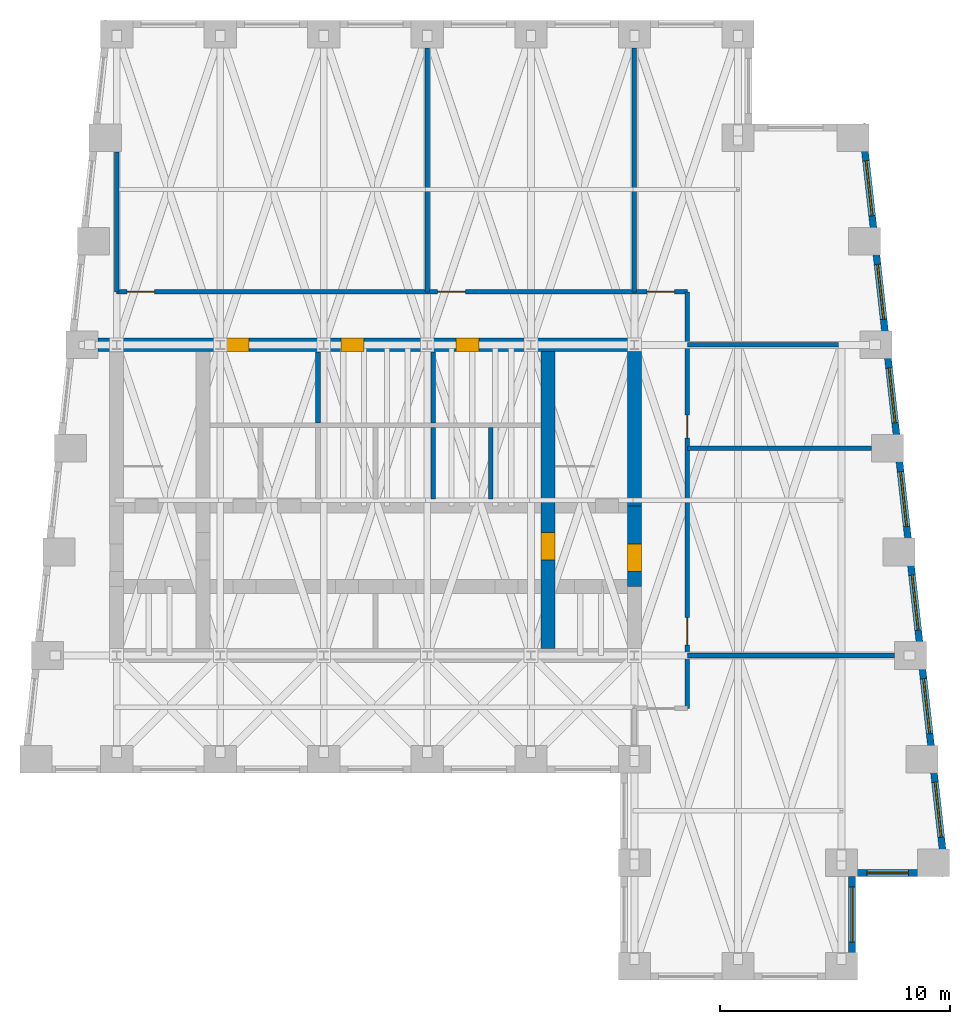
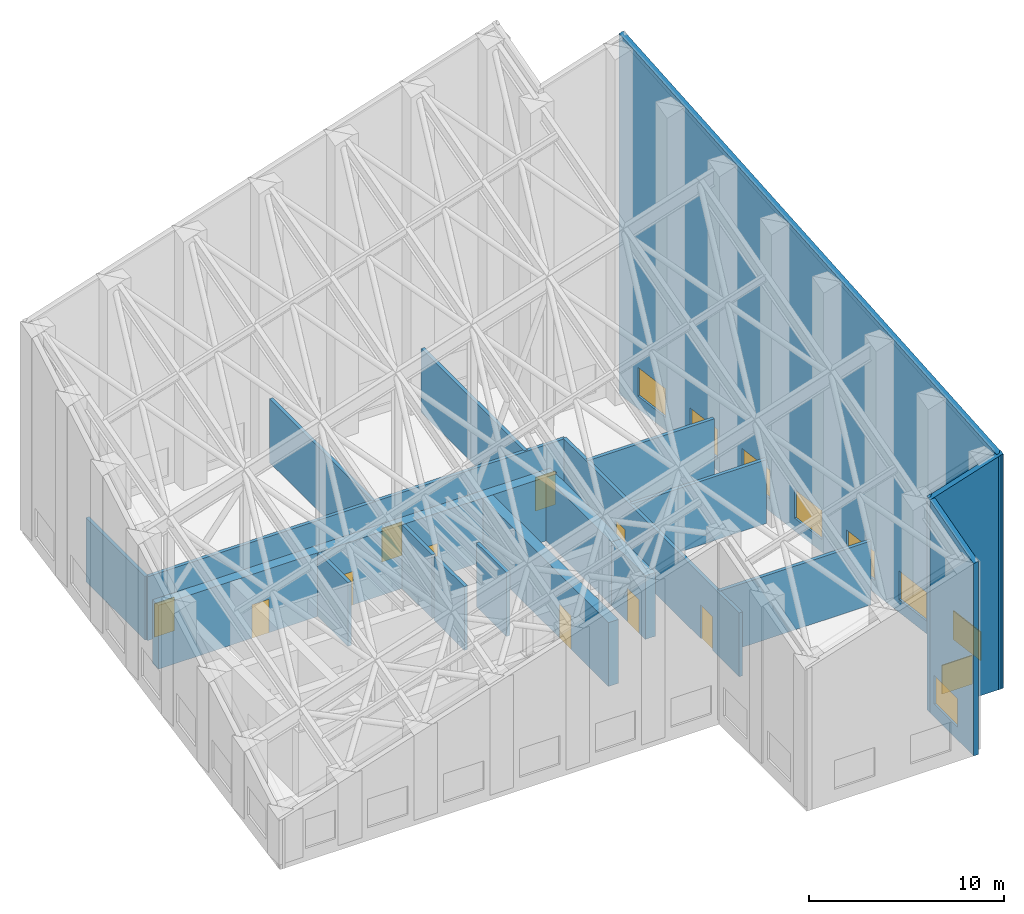
# One storey, part 5 of 7: 19 walls, 10 doors, 9 windows, 19 openings.
"""IFC4 building model written with IfcOpenShell, lengths in metres."""

from ifc_helpers import new_model, si_unit, direction, frame, frame_2d, origin, place, context, subcontext, project, spatial, polyline, rectangle, outline, extrude, clip, halfspace, material, layer, layer_set, type_object, element, fill, save


model = new_model("IFC4")

# Units and contexts
model_context = context("Model", 3, precision=1e-05, world=origin(), true_north=direction((0.0, 1.0)))
body_context = subcontext(model_context, "Body", "Model", "MODEL_VIEW")
ifc_project = project(units=[si_unit("LENGTHUNIT", "METRE"), si_unit("AREAUNIT", "SQUARE_METRE"), si_unit("VOLUMEUNIT", "CUBIC_METRE"), si_unit("PLANEANGLEUNIT", "RADIAN"), si_unit("MASSUNIT", "GRAM", prefix="KILO")], contexts=[model_context])

# Site, building, storey
site_placement = place(None, origin())
site = spatial("IfcSite", under=ifc_project, at=site_placement, CompositionType="ELEMENT")
building_placement = place(site_placement, origin())
building = spatial("IfcBuilding", under=site, at=building_placement, Name="Kilele Tower Hotel", CompositionType="ELEMENT")
storey_placement = place(building_placement, frame((0.0, 0.0, 289.699951171875)))
storey = spatial("IfcBuildingStorey", under=building, at=storey_placement, Name="CROWN", CompositionType="ELEMENT", Elevation=289.699951171875)

# Wall, openings, doors
ifc_material_1 = material(Name="Concrete C60/75", Category="concrete")
ifc_layer_1 = layer(ifc_material_1, 0.60009765625)
ifc_layer_set_1 = layer_set([ifc_layer_1], Name="Concrete C60/75")
wall_type_1 = type_object("IfcWallType", Name="Core wall 600 C60/75", PredefinedType="SHEAR", material=ifc_layer_set_1)
wall_1_placement = place(storey_placement, frame((36.300048828125, 27.0, 0.0), z_axis=(0.0, 0.0, 1.0), x_axis=(-1.0, 0.0, 0.0)))
wall_1 = element("IfcWall", 1, at=wall_1_placement, inside=storey, type_object=wall_type_1, Name="Core wall N CROWN", PredefinedType="SHEAR", context=body_context, shape_type="SweptSolid", body=[
    extrude(rectangle(XDim=23.60009765625, YDim=0.60009765625, at=frame_2d((11.800048828125, 0.0))), origin(), (0.0, 0.0, 1.0), 4.0),
])
opening_1_placement = place(wall_1_placement, frame((17.050048828125, 0.0, 0.0)))
opening_1 = element("IfcOpeningElement", 2, at=opening_1_placement, cuts=wall_1, Name="Opening D6", PredefinedType="OPENING", context=body_context, shape_type="SweptSolid", body=[
    extrude(rectangle(XDim=1.0, YDim=2.10009765625, at=frame_2d((0.5, 1.050048828125))), frame((0.0, 0.31005859375, 0.0), z_axis=(0.0, -1.0, 0.0), x_axis=(1.0, 0.0, 0.0)), (0.0, 0.0, 1.0), 0.6201171875),
])
opening_2_placement = place(wall_1_placement, frame((12.050048828125, 0.0, 0.0)))
opening_2 = element("IfcOpeningElement", 3, at=opening_2_placement, cuts=wall_1, Name="Opening D6", PredefinedType="OPENING", context=body_context, shape_type="SweptSolid", body=[
    extrude(rectangle(XDim=1.0, YDim=2.10009765625, at=frame_2d((0.5, 1.050048828125))), frame((0.0, 0.31005859375, 0.0), z_axis=(0.0, -1.0, 0.0), x_axis=(1.0, 0.0, 0.0)), (0.0, 0.0, 1.0), 0.6201171875),
])
opening_3_placement = place(wall_1_placement, frame((7.050048828125, 0.0, 0.0)))
opening_3 = element("IfcOpeningElement", 4, at=opening_3_placement, cuts=wall_1, Name="Opening D6", PredefinedType="OPENING", context=body_context, shape_type="SweptSolid", body=[
    extrude(rectangle(XDim=1.0, YDim=2.10009765625, at=frame_2d((0.5, 1.050048828125))), frame((0.0, 0.31005859375, 0.0), z_axis=(0.0, -1.0, 0.0), x_axis=(1.0, 0.0, 0.0)), (0.0, 0.0, 1.0), 0.6201171875),
])
ifc_material_2 = material(Name="Timber door leaf in hardwood frame", Category="wood")
door_type_1 = type_object("IfcDoorType", Name="Riser door 1000", OperationType="SINGLE_SWING_LEFT", PredefinedType="DOOR", material=ifc_material_2)
door_1_placement = place(opening_1_placement, origin())
door_1 = element("IfcDoor", 5, at=door_1_placement, inside=storey, type_object=door_type_1, Name="Service riser door CROWN", OperationType="SINGLE_SWING_RIGHT", OverallHeight=2.10009765625, OverallWidth=1.0, PredefinedType="DOOR", context=body_context, shape_type="SweptSolid", body=[
    extrude(rectangle(XDim=1.0, YDim=2.10009765625, at=frame_2d((0.5, 1.050048828125))), frame((0.0, 0.2998046875, 0.0), z_axis=(0.0, -1.0, 0.0), x_axis=(1.0, 0.0, 0.0)), (0.0, 0.0, 1.0), 0.599609375),
])
fill(opening_1, door_1)
door_2_placement = place(opening_2_placement, origin())
door_2 = element("IfcDoor", 6, at=door_2_placement, inside=storey, type_object=door_type_1, Name="Linen store door CROWN", OperationType="SINGLE_SWING_RIGHT", OverallHeight=2.10009765625, OverallWidth=1.0, PredefinedType="DOOR", context=body_context, shape_type="SweptSolid", body=[
    extrude(rectangle(XDim=1.0, YDim=2.10009765625, at=frame_2d((0.5, 1.050048828125))), frame((0.0, 0.2998046875, 0.0), z_axis=(0.0, -1.0, 0.0), x_axis=(1.0, 0.0, 0.0)), (0.0, 0.0, 1.0), 0.599609375),
])
fill(opening_2, door_2)
door_3_placement = place(opening_3_placement, origin())
door_3 = element("IfcDoor", 7, at=door_3_placement, inside=storey, type_object=door_type_1, Name="Electrical riser door CROWN", OperationType="SINGLE_SWING_RIGHT", OverallHeight=2.10009765625, OverallWidth=1.0, PredefinedType="DOOR", context=body_context, shape_type="SweptSolid", body=[
    extrude(rectangle(XDim=1.0, YDim=2.10009765625, at=frame_2d((0.5, 1.050048828125))), frame((0.0, 0.2998046875, 0.0), z_axis=(0.0, -1.0, 0.0), x_axis=(1.0, 0.0, 0.0)), (0.0, 0.0, 1.0), 0.599609375),
])
fill(opening_3, door_3)

# Wall, opening, door
wall_2_placement = place(storey_placement, frame((32.25, 13.800048828125, 0.0), z_axis=(0.0, 0.0, 1.0), x_axis=(0.0, 1.0, 0.0)))
wall_2 = element("IfcWall", 8, at=wall_2_placement, inside=storey, type_object=wall_type_1, Name="Core wall IE CROWN", PredefinedType="SHEAR", context=body_context, shape_type="SweptSolid", body=[
    extrude(rectangle(XDim=12.89990234375, YDim=0.60009765625, at=frame_2d((6.449951171875, 0.0))), origin(), (0.0, 0.0, 1.0), 4.0),
])
opening_4_placement = place(wall_2_placement, frame((5.050048828125, 0.0, 0.0), z_axis=(0.0, 0.0, 1.0), x_axis=(-1.0, 0.0, 0.0)))
opening_4 = element("IfcOpeningElement", 9, at=opening_4_placement, cuts=wall_2, Name="Opening D4", PredefinedType="OPENING", context=body_context, shape_type="SweptSolid", body=[
    extrude(rectangle(XDim=1.199951171875, YDim=2.10009765625, at=frame_2d((0.60009765625, 1.050048828125))), frame((0.0, 0.31005859375, 0.0), z_axis=(0.0, -1.0, 0.0), x_axis=(1.0, 0.0, 0.0)), (0.0, 0.0, 1.0), 0.6201171875),
])
ifc_material_3 = material(Name="Timber door leaf in hardwood frame", Category="wood")
door_type_2 = type_object("IfcDoorType", Name="Firefighting lobby door 1200", OperationType="SINGLE_SWING_LEFT", PredefinedType="DOOR", material=ifc_material_3)
door_4_placement = place(opening_4_placement, origin())
door_4 = element("IfcDoor", 10, at=door_4_placement, inside=storey, type_object=door_type_2, Name="Lobby door CROWN", OperationType="SINGLE_SWING_RIGHT", OverallHeight=2.10009765625, OverallWidth=1.199951171875, PredefinedType="DOOR", context=body_context, shape_type="SweptSolid", body=[
    extrude(rectangle(XDim=1.199951171875, YDim=2.10009765625, at=frame_2d((0.60009765625, 1.050048828125))), frame((0.0, 0.2998046875, 0.0), z_axis=(0.0, -1.0, 0.0), x_axis=(1.0, 0.0, 0.0)), (0.0, 0.0, 1.0), 0.599609375),
])
fill(opening_4, door_4)

wall_3_placement = place(storey_placement, frame((36.0, 16.5, 0.0), z_axis=(0.0, 0.0, 1.0), x_axis=(0.0, 1.0, 0.0)))
wall_3 = element("IfcWall", 11, at=wall_3_placement, inside=storey, type_object=wall_type_1, Name="Core wall E2 CROWN", PredefinedType="SHEAR", context=body_context, shape_type="SweptSolid", body=[
    extrude(rectangle(XDim=3.5, YDim=0.60009765625, at=frame_2d((1.75, 0.0))), origin(), (0.0, 0.0, 1.0), 4.0),
])
opening_5_placement = place(wall_3_placement, frame((0.64990234375, 0.0, 0.0)))
opening_5 = element("IfcOpeningElement", 12, at=opening_5_placement, cuts=wall_3, Name="Opening D4", PredefinedType="OPENING", context=body_context, shape_type="SweptSolid", body=[
    extrude(rectangle(XDim=1.199951171875, YDim=2.10009765625, at=frame_2d((0.60009765625, 1.050048828125))), frame((0.0, 0.31005859375, 0.0), z_axis=(0.0, -1.0, 0.0), x_axis=(1.0, 0.0, 0.0)), (0.0, 0.0, 1.0), 0.6201171875),
])
door_5_placement = place(opening_5_placement, origin())
door_5 = element("IfcDoor", 13, at=door_5_placement, inside=storey, type_object=door_type_2, Name="Lobby door CROWN", OperationType="SINGLE_SWING_LEFT", OverallHeight=2.10009765625, OverallWidth=1.199951171875, PredefinedType="DOOR", context=body_context, shape_type="SweptSolid", body=[
    extrude(rectangle(XDim=1.199951171875, YDim=2.10009765625, at=frame_2d((0.60009765625, 1.050048828125))), frame((0.0, 0.2998046875, 0.0), z_axis=(0.0, -1.0, 0.0), x_axis=(1.0, 0.0, 0.0)), (0.0, 0.0, 1.0), 0.599609375),
])
fill(opening_5, door_5)

# Wall
wall_4_placement = place(storey_placement, frame((36.0, 20.0, 0.0), z_axis=(0.0, 0.0, 1.0), x_axis=(0.0, 1.0, 0.0)))
element("IfcWall", 14, at=wall_4_placement, inside=storey, type_object=wall_type_1, Name="Core wall E3 CROWN", PredefinedType="SHEAR", context=body_context, shape_type="SweptSolid", body=[
    extrude(rectangle(XDim=6.699951171875, YDim=0.60009765625, at=frame_2d((3.35009765625, 0.0))), origin(), (0.0, 0.0, 1.0), 4.0),
])

# Wall, openings, doors
ifc_material_4 = material(Name="Blockwork, plastered both sides", Category="masonry")
ifc_layer_2 = layer(ifc_material_4, 0.199951171875)
ifc_layer_set_2 = layer_set([ifc_layer_2], Name="Blockwork, plastered both sides")
wall_type_2 = type_object("IfcWallType", Name="Corridor wall 200", PredefinedType="PARTITIONING", material=ifc_layer_set_2)
wall_5_placement = place(storey_placement, frame((38.300048828125, 11.199951171875, 0.0), z_axis=(0.0, 0.0, 1.0), x_axis=(0.0, 1.0, 0.0)))
wall_5 = element("IfcWall", 15, at=wall_5_placement, inside=storey, type_object=wall_type_2, Name="Corridor wall 200 CROWN", PredefinedType="PARTITIONING", context=body_context, shape_type="SweptSolid", body=[
    extrude(rectangle(XDim=18.10009765625, YDim=0.199951171875, at=frame_2d((9.050048828125, 0.0))), origin(), (0.0, 0.0, 1.0), 4.0),
])
opening_6_placement = place(wall_5_placement, frame((3.949951171875, 0.0, 0.0), z_axis=(0.0, 0.0, 1.0), x_axis=(-1.0, 0.0, 0.0)))
opening_6 = element("IfcOpeningElement", 16, at=opening_6_placement, cuts=wall_5, Name="Opening D7A", PredefinedType="OPENING", context=body_context, shape_type="SweptSolid", body=[
    extrude(rectangle(XDim=1.199951171875, YDim=2.10009765625, at=frame_2d((0.60009765625, 1.050048828125))), frame((0.0, 0.10986328125, 0.0), z_axis=(0.0, -1.0, 0.0), x_axis=(1.0, 0.0, 0.0)), (0.0, 0.0, 1.0), 0.219970703125),
])
opening_7_placement = place(wall_5_placement, frame((12.75, 0.0, 0.0), z_axis=(0.0, 0.0, 1.0), x_axis=(-1.0, 0.0, 0.0)))
opening_7 = element("IfcOpeningElement", 17, at=opening_7_placement, cuts=wall_5, Name="Opening D7", PredefinedType="OPENING", context=body_context, shape_type="SweptSolid", body=[
    extrude(rectangle(XDim=1.0, YDim=2.10009765625, at=frame_2d((0.5, 1.050048828125))), frame((0.0, 0.10986328125, 0.0), z_axis=(0.0, -1.0, 0.0), x_axis=(1.0, 0.0, 0.0)), (0.0, 0.0, 1.0), 0.219970703125),
])
ifc_material_5 = material(Name="Timber door leaf in hardwood frame", Category="wood")
door_type_3 = type_object("IfcDoorType", Name="Plant room door 1000", OperationType="SINGLE_SWING_LEFT", PredefinedType="DOOR", material=ifc_material_5)
door_6_placement = place(opening_7_placement, origin())
door_6 = element("IfcDoor", 18, at=door_6_placement, inside=storey, type_object=door_type_3, Name="Door Crown electrical switch room CROWN02", OperationType="SINGLE_SWING_RIGHT", OverallHeight=2.10009765625, OverallWidth=1.0, PredefinedType="DOOR", context=body_context, shape_type="SweptSolid", body=[
    extrude(rectangle(XDim=1.0, YDim=2.10009765625, at=frame_2d((0.5, 1.050048828125))), frame((0.0, 0.02490234375, 0.0), z_axis=(0.0, -1.0, 0.0), x_axis=(1.0, 0.0, 0.0)), (0.0, 0.0, 1.0), 0.050048828125),
])
fill(opening_7, door_6)
ifc_material_6 = material(Name="Timber door leaf in hardwood frame", Category="wood")
door_type_4 = type_object("IfcDoorType", Name="Plant room door 1200", OperationType="SINGLE_SWING_LEFT", PredefinedType="DOOR", material=ifc_material_6)
door_7_placement = place(opening_6_placement, origin())
door_7 = element("IfcDoor", 19, at=door_7_placement, inside=storey, type_object=door_type_4, Name="Door Condenser water pump room CROWN01", OperationType="SINGLE_SWING_RIGHT", OverallHeight=2.10009765625, OverallWidth=1.199951171875, PredefinedType="DOOR", context=body_context, shape_type="SweptSolid", body=[
    extrude(rectangle(XDim=1.199951171875, YDim=2.10009765625, at=frame_2d((0.60009765625, 1.050048828125))), frame((0.0, 0.02490234375, 0.0), z_axis=(0.0, -1.0, 0.0), x_axis=(1.0, 0.0, 0.0)), (0.0, 0.0, 1.0), 0.050048828125),
])
fill(opening_6, door_7)

wall_6_placement = place(storey_placement, frame((13.5, 29.300048828125, 0.0), z_axis=(0.0, 0.0, 1.0), x_axis=(1.0, 0.0, 0.0)))
wall_6 = element("IfcWall", 20, at=wall_6_placement, inside=storey, type_object=wall_type_2, Name="Corridor wall 200 CROWN", PredefinedType="PARTITIONING", context=body_context, shape_type="SweptSolid", body=[
    extrude(rectangle(XDim=24.800048828125, YDim=0.199951171875, at=frame_2d((12.39990234375, 0.0))), origin(), (0.0, 0.0, 1.0), 4.0),
])
opening_8_placement = place(wall_6_placement, frame((0.449951171875, 0.0, 0.0)))
opening_8 = element("IfcOpeningElement", 21, at=opening_8_placement, cuts=wall_6, Name="Opening D7A", PredefinedType="OPENING", context=body_context, shape_type="SweptSolid", body=[
    extrude(rectangle(XDim=1.199951171875, YDim=2.10009765625, at=frame_2d((0.60009765625, 1.050048828125))), frame((0.0, 0.10986328125, 0.0), z_axis=(0.0, -1.0, 0.0), x_axis=(1.0, 0.0, 0.0)), (0.0, 0.0, 1.0), 0.219970703125),
])
opening_9_placement = place(wall_6_placement, frame((13.949951171875, 0.0, 0.0)))
opening_9 = element("IfcOpeningElement", 22, at=opening_9_placement, cuts=wall_6, Name="Opening D7A", PredefinedType="OPENING", context=body_context, shape_type="SweptSolid", body=[
    extrude(rectangle(XDim=1.199951171875, YDim=2.10009765625, at=frame_2d((0.60009765625, 1.050048828125))), frame((0.0, 0.10986328125, 0.0), z_axis=(0.0, -1.0, 0.0), x_axis=(1.0, 0.0, 0.0)), (0.0, 0.0, 1.0), 0.219970703125),
])
opening_10_placement = place(wall_6_placement, frame((23.050048828125, 0.0, 0.0)))
opening_10 = element("IfcOpeningElement", 23, at=opening_10_placement, cuts=wall_6, Name="Opening D7A", PredefinedType="OPENING", context=body_context, shape_type="SweptSolid", body=[
    extrude(rectangle(XDim=1.199951171875, YDim=2.10009765625, at=frame_2d((0.60009765625, 1.050048828125))), frame((0.0, 0.10986328125, 0.0), z_axis=(0.0, -1.0, 0.0), x_axis=(1.0, 0.0, 0.0)), (0.0, 0.0, 1.0), 0.219970703125),
])
door_8_placement = place(opening_8_placement, origin())
door_8 = element("IfcDoor", 24, at=door_8_placement, inside=storey, type_object=door_type_4, Name="Door Crown water tank room CROWN03", OperationType="SINGLE_SWING_LEFT", OverallHeight=2.10009765625, OverallWidth=1.199951171875, PredefinedType="DOOR", context=body_context, shape_type="SweptSolid", body=[
    extrude(rectangle(XDim=1.199951171875, YDim=2.10009765625, at=frame_2d((0.60009765625, 1.050048828125))), frame((0.0, 0.02490234375, 0.0), z_axis=(0.0, -1.0, 0.0), x_axis=(1.0, 0.0, 0.0)), (0.0, 0.0, 1.0), 0.050048828125),
])
fill(opening_8, door_8)
door_9_placement = place(opening_9_placement, origin())
door_9 = element("IfcDoor", 25, at=door_9_placement, inside=storey, type_object=door_type_4, Name="Door Stair pressurisation and smoke extract fan room CROWN04", OperationType="SINGLE_SWING_LEFT", OverallHeight=2.10009765625, OverallWidth=1.199951171875, PredefinedType="DOOR", context=body_context, shape_type="SweptSolid", body=[
    extrude(rectangle(XDim=1.199951171875, YDim=2.10009765625, at=frame_2d((0.60009765625, 1.050048828125))), frame((0.0, 0.02490234375, 0.0), z_axis=(0.0, -1.0, 0.0), x_axis=(1.0, 0.0, 0.0)), (0.0, 0.0, 1.0), 0.050048828125),
])
fill(opening_9, door_9)
door_10_placement = place(opening_10_placement, origin())
door_10 = element("IfcDoor", 26, at=door_10_placement, inside=storey, type_object=door_type_4, Name="Door Crown plant store CROWN06", OperationType="SINGLE_SWING_LEFT", OverallHeight=2.10009765625, OverallWidth=1.199951171875, PredefinedType="DOOR", context=body_context, shape_type="SweptSolid", body=[
    extrude(rectangle(XDim=1.199951171875, YDim=2.10009765625, at=frame_2d((0.60009765625, 1.050048828125))), frame((0.0, 0.02490234375, 0.0), z_axis=(0.0, -1.0, 0.0), x_axis=(1.0, 0.0, 0.0)), (0.0, 0.0, 1.0), 0.050048828125),
])
fill(opening_10, door_10)

# Walls
ifc_material_7 = material(Name="Blockwork, plastered both sides", Category="masonry")
ifc_layer_3 = layer(ifc_material_7, 0.199951171875)
ifc_layer_set_3 = layer_set([ifc_layer_3], Name="Blockwork, plastered both sides")
wall_type_3 = type_object("IfcWallType", Name="Partition wall 200", PredefinedType="PARTITIONING", material=ifc_layer_set_3)
wall_7_placement = place(storey_placement, frame((38.300048828125, 13.5, 0.0), z_axis=(0.0, 0.0, 1.0), x_axis=(1.0, 0.0, 0.0)))
element("IfcWall", 27, at=wall_7_placement, inside=storey, type_object=wall_type_3, Name="Partition wall 200 CROWN", PredefinedType="PARTITIONING", context=body_context, shape_type="SweptSolid", body=[
    extrude(rectangle(XDim=8.9990234375, YDim=0.199951171875, at=frame_2d((4.49951171875, 0.0))), origin(), (0.0, 0.0, 1.0), 4.0),
])
wall_8_placement = place(storey_placement, frame((38.300048828125, 22.5, 0.0), z_axis=(0.0, 0.0, 1.0), x_axis=(1.0, 0.0, 0.0)))
element("IfcWall", 28, at=wall_8_placement, inside=storey, type_object=wall_type_3, Name="Partition wall 200 CROWN", PredefinedType="PARTITIONING", context=body_context, shape_type="SweptSolid", body=[
    extrude(rectangle(XDim=7.9990234375, YDim=0.199951171875, at=frame_2d((3.99951171875, 0.0))), origin(), (0.0, 0.0, 1.0), 4.0),
])
wall_9_placement = place(storey_placement, frame((38.300048828125, 27.0, 0.0), z_axis=(0.0, 0.0, 1.0), x_axis=(1.0, 0.0, 0.0)))
element("IfcWall", 29, at=wall_9_placement, inside=storey, type_object=wall_type_3, Name="Partition wall 200 CROWN", PredefinedType="PARTITIONING", context=body_context, shape_type="SweptSolid", body=[
    extrude(rectangle(XDim=7.4990234375, YDim=0.199951171875, at=frame_2d((3.74951171875, 0.0))), origin(), (0.0, 0.0, 1.0), 4.0),
])
wall_10_placement = place(storey_placement, frame((13.5, 29.300048828125, 0.0), z_axis=(0.0, 0.0, 1.0), x_axis=(0.0, 1.0, 0.0)))
element("IfcWall", 30, at=wall_10_placement, inside=storey, type_object=wall_type_3, Name="Partition wall 200 CROWN", PredefinedType="PARTITIONING", context=body_context, shape_type="SweptSolid", body=[
    extrude(rectangle(XDim=6.08154296875, YDim=0.199951171875, at=frame_2d((3.040771484375, 0.0))), origin(), (0.0, 0.0, 1.0), 4.0),
])
for number, where, z_axis, x_axis, name in (
    (31, (27.0, 29.300048828125, 0.0), (0.0, 0.0, 1.0), (0.0, 1.0, 0.0), "Partition wall 200 CROWN"),
    (32, (36.0, 29.300048828125, 0.0), (0.0, 0.0, 1.0), (0.0, 1.0, 0.0), "Partition wall 200 CROWN"),
):
    element("IfcWall", number, at=place(storey_placement, frame(where, z_axis=z_axis, x_axis=x_axis)), inside=storey, type_object=wall_type_3, Name=name, PredefinedType="PARTITIONING", context=body_context, shape_type="SweptSolid", body=[
        extrude(rectangle(XDim=10.58984375, YDim=0.199951171875, at=frame_2d((5.294921875, 0.0))), origin(), (0.0, 0.0, 1.0), 4.0),
    ])

# Wall, opening, window
ifc_material_8 = material(Name="Concrete C40/50 precast", Category="concrete")
ifc_layer_4 = layer(ifc_material_8, 0.260009765625, Name="Precast backing", Category="LoadBearing")
ifc_material_9 = material(Name="Reconstituted stone finish", Category="masonry")
ifc_layer_5 = layer(ifc_material_9, 0.0400390625, Name="Face mix", Category="Finish")
ifc_layer_set_4 = layer_set([ifc_layer_4, ifc_layer_5], Name="Precast concrete C40/50, reconstituted stone finish")
wall_type_4 = type_object("IfcWallType", Name="Precast stone facade wall 300", PredefinedType="STANDARD", material=ifc_layer_set_4)
wall_11_placement = place(storey_placement, frame((45.449951171875, -0.60009765625, -0.300048828125), z_axis=(0.0, 0.0, 1.0), x_axis=(0.0, 1.0, 0.0)))
wall_11 = element("IfcWall", 33, at=wall_11_placement, inside=storey, type_object=wall_type_4, Name="Facade wall CROWN edge 4", PredefinedType="STANDARD", context=body_context, shape_type="Clipping", body=[
    clip(extrude(outline(polyline([(0.0, 0.0), (4.800048828125, 0.0), (4.800048828125, 13.45068359375), (0.0, 12.106689453125), (0.0, 0.0)])), frame((0.0, 0.14990234375, 0.0), z_axis=(0.0, -1.0, 0.0), x_axis=(1.0, 0.0, 0.0)), (0.0, 0.0, 1.0), 0.300048828125), halfspace(frame((0.0, 0.0, 12.106689453125), z_axis=(-0.25767390908, 0.294483896091, 0.920262675285), x_axis=(0.962963921905, 0.0, 0.269630274838)), False)),
])
opening_11_placement = place(wall_11_placement, frame((1.64990234375, 0.0, 0.800048828125)))
opening_11 = element("IfcOpeningElement", 34, at=opening_11_placement, cuts=wall_11, Name="Opening LV2", PredefinedType="OPENING", context=body_context, shape_type="SweptSolid", body=[
    extrude(rectangle(XDim=2.39990234375, YDim=1.800048828125, at=frame_2d((1.199951171875, 0.89990234375))), frame((0.0, 0.159912109375, 0.0), z_axis=(0.0, -1.0, 0.0), x_axis=(1.0, 0.0, 0.0)), (0.0, 0.0, 1.0), 0.320068359375),
])
ifc_material_10 = material(Name="Aluminium weather louvre with insect mesh", Category="aluminium")
window_type_1 = type_object("IfcWindowType", Name="Crown plant louvre 2400 x 1800", PartitioningType="SINGLE_PANEL", PredefinedType="USERDEFINED", material=ifc_material_10)
window_1_placement = place(opening_11_placement, origin())
window_1 = element("IfcWindow", 35, at=window_1_placement, inside=storey, type_object=window_type_1, Name="Louvre CROWN", ObjectType="LOUVRE", OverallHeight=1.800048828125, OverallWidth=2.39990234375, PartitioningType="SINGLE_PANEL", PredefinedType="USERDEFINED", context=body_context, shape_type="SweptSolid", body=[
    extrude(rectangle(XDim=2.39990234375, YDim=1.800048828125, at=frame_2d((1.199951171875, 0.89990234375))), frame((0.0, 0.030029296875, 0.0), z_axis=(0.0, -1.0, 0.0), x_axis=(1.0, 0.0, 0.0)), (0.0, 0.0, 1.0), 0.06005859375),
])
fill(opening_11, window_1)

wall_12_placement = place(storey_placement, frame((45.300048828125, 4.050048828125, -0.300048828125), z_axis=(0.0, 0.0, 1.0), x_axis=(1.0, 0.0, 0.0)))
wall_12 = element("IfcWall", 36, at=wall_12_placement, inside=storey, type_object=wall_type_4, Name="Facade wall CROWN edge 5", PredefinedType="STANDARD", context=body_context, shape_type="Clipping", body=[
    clip(extrude(outline(polyline([(0.0, 0.0), (4.352783203125, 0.0), (4.352783203125, 14.753662109375), (0.0, 13.36083984375), (0.0, 0.0)])), frame((0.0, 0.14990234375, 0.0), z_axis=(0.0, -1.0, 0.0), x_axis=(1.0, 0.0, 0.0)), (0.0, 0.0, 1.0), 0.300048828125), halfspace(frame((0.0, 0.0, 13.36083984375), z_axis=(-0.294483896091, -0.25767390908, 0.920262675285), x_axis=(0.952424195267, 0.0, 0.304775576894)), False)),
])
opening_12_placement = place(wall_12_placement, frame((0.800048828125, 0.0, 0.800048828125)))
opening_12 = element("IfcOpeningElement", 37, at=opening_12_placement, cuts=wall_12, Name="Opening LV2", PredefinedType="OPENING", context=body_context, shape_type="SweptSolid", body=[
    extrude(rectangle(XDim=1.800048828125, YDim=1.800048828125, at=frame_2d((0.89990234375, 0.89990234375))), frame((0.0, 0.159912109375, 0.0), z_axis=(0.0, -1.0, 0.0), x_axis=(1.0, 0.0, 0.0)), (0.0, 0.0, 1.0), 0.320068359375),
])
ifc_material_11 = material(Name="Aluminium weather louvre with insect mesh", Category="aluminium")
window_type_2 = type_object("IfcWindowType", Name="Crown plant louvre 1800 x 1800", PartitioningType="SINGLE_PANEL", PredefinedType="USERDEFINED", material=ifc_material_11)
window_2_placement = place(opening_12_placement, origin())
window_2 = element("IfcWindow", 38, at=window_2_placement, inside=storey, type_object=window_type_2, Name="Louvre CROWN", ObjectType="LOUVRE", OverallHeight=1.800048828125, OverallWidth=1.800048828125, PartitioningType="SINGLE_PANEL", PredefinedType="USERDEFINED", context=body_context, shape_type="SweptSolid", body=[
    extrude(rectangle(XDim=1.800048828125, YDim=1.800048828125, at=frame_2d((0.89990234375, 0.89990234375))), frame((0.0, 0.030029296875, 0.0), z_axis=(0.0, -1.0, 0.0), x_axis=(1.0, 0.0, 0.0)), (0.0, 0.0, 1.0), 0.06005859375),
])
fill(opening_12, window_2)

# Wall, openings, windows
wall_13_placement = place(storey_placement, frame((49.519287109375, 3.90087890625, -0.300048828125), z_axis=(0.0, 0.0, 1.0), x_axis=(-0.110429082637, 0.993884006164, 0.0)))
wall_13 = element("IfcWall", 39, at=wall_13_placement, inside=storey, type_object=wall_type_4, Name="Facade wall CROWN edge 6", PredefinedType="STANDARD", context=body_context, shape_type="Clipping", body=[
    clip(extrude(outline(polyline([(0.0, 0.0), (32.8994140625, 0.0), (32.8994140625, 22.662109375), (0.0, 14.669189453125), (0.0, 0.0)])), frame((0.0, 0.14990234375, 0.0), z_axis=(0.0, -1.0, 0.0), x_axis=(1.0, 0.0, 0.0)), (0.0, 0.0, 1.0), 0.300048828125), halfspace(frame((0.0, 0.0, 14.669189453125), z_axis=(-0.223578390543, 0.321137527797, 0.920262675285), x_axis=(0.971732868163, 0.0, 0.236083105984)), False)),
])
opening_13_placement = place(wall_13_placement, frame((1.716796875, 0.0, 0.800048828125)))
opening_13 = element("IfcOpeningElement", 40, at=opening_13_placement, cuts=wall_13, Name="Opening LV2", PredefinedType="OPENING", context=body_context, shape_type="SweptSolid", body=[
    extrude(rectangle(XDim=2.39990234375, YDim=1.800048828125, at=frame_2d((1.199951171875, 0.89990234375))), frame((0.0, 0.159912109375, 0.0), z_axis=(0.0, -1.0, 0.0), x_axis=(1.0, 0.0, 0.0)), (0.0, 0.0, 1.0), 0.320068359375),
])
opening_14_placement = place(wall_13_placement, frame((6.244873046875, 0.0, 0.800048828125)))
opening_14 = element("IfcOpeningElement", 41, at=opening_14_placement, cuts=wall_13, Name="Opening LV2", PredefinedType="OPENING", context=body_context, shape_type="SweptSolid", body=[
    extrude(rectangle(XDim=2.39990234375, YDim=1.800048828125, at=frame_2d((1.199951171875, 0.89990234375))), frame((0.0, 0.159912109375, 0.0), z_axis=(0.0, -1.0, 0.0), x_axis=(1.0, 0.0, 0.0)), (0.0, 0.0, 1.0), 0.320068359375),
])
opening_15_placement = place(wall_13_placement, frame((10.771728515625, 0.0, 0.800048828125)))
opening_15 = element("IfcOpeningElement", 42, at=opening_15_placement, cuts=wall_13, Name="Opening LV2", PredefinedType="OPENING", context=body_context, shape_type="SweptSolid", body=[
    extrude(rectangle(XDim=2.39990234375, YDim=1.800048828125, at=frame_2d((1.199951171875, 0.89990234375))), frame((0.0, 0.159912109375, 0.0), z_axis=(0.0, -1.0, 0.0), x_axis=(1.0, 0.0, 0.0)), (0.0, 0.0, 1.0), 0.320068359375),
])
opening_16_placement = place(wall_13_placement, frame((15.2998046875, 0.0, 0.800048828125)))
opening_16 = element("IfcOpeningElement", 43, at=opening_16_placement, cuts=wall_13, Name="Opening LV2", PredefinedType="OPENING", context=body_context, shape_type="SweptSolid", body=[
    extrude(rectangle(XDim=2.39990234375, YDim=1.800048828125, at=frame_2d((1.199951171875, 0.89990234375))), frame((0.0, 0.159912109375, 0.0), z_axis=(0.0, -1.0, 0.0), x_axis=(1.0, 0.0, 0.0)), (0.0, 0.0, 1.0), 0.320068359375),
])
opening_17_placement = place(wall_13_placement, frame((19.827880859375, 0.0, 0.800048828125)))
opening_17 = element("IfcOpeningElement", 44, at=opening_17_placement, cuts=wall_13, Name="Opening LV2", PredefinedType="OPENING", context=body_context, shape_type="SweptSolid", body=[
    extrude(rectangle(XDim=2.39990234375, YDim=1.800048828125, at=frame_2d((1.199951171875, 0.89990234375))), frame((0.0, 0.159912109375, 0.0), z_axis=(0.0, -1.0, 0.0), x_axis=(1.0, 0.0, 0.0)), (0.0, 0.0, 1.0), 0.320068359375),
])
opening_18_placement = place(wall_13_placement, frame((24.354736328125, 0.0, 0.800048828125)))
opening_18 = element("IfcOpeningElement", 45, at=opening_18_placement, cuts=wall_13, Name="Opening LV2", PredefinedType="OPENING", context=body_context, shape_type="SweptSolid", body=[
    extrude(rectangle(XDim=2.39990234375, YDim=1.800048828125, at=frame_2d((1.199951171875, 0.89990234375))), frame((0.0, 0.159912109375, 0.0), z_axis=(0.0, -1.0, 0.0), x_axis=(1.0, 0.0, 0.0)), (0.0, 0.0, 1.0), 0.320068359375),
])
opening_19_placement = place(wall_13_placement, frame((28.8828125, 0.0, 0.800048828125)))
opening_19 = element("IfcOpeningElement", 46, at=opening_19_placement, cuts=wall_13, Name="Opening LV2", PredefinedType="OPENING", context=body_context, shape_type="SweptSolid", body=[
    extrude(rectangle(XDim=2.39990234375, YDim=1.800048828125, at=frame_2d((1.199951171875, 0.89990234375))), frame((0.0, 0.159912109375, 0.0), z_axis=(0.0, -1.0, 0.0), x_axis=(1.0, 0.0, 0.0)), (0.0, 0.0, 1.0), 0.320068359375),
])
window_3_placement = place(opening_13_placement, origin())
window_3 = element("IfcWindow", 47, at=window_3_placement, inside=storey, type_object=window_type_1, Name="Louvre CROWN", ObjectType="LOUVRE", OverallHeight=1.800048828125, OverallWidth=2.39990234375, PartitioningType="SINGLE_PANEL", PredefinedType="USERDEFINED", context=body_context, shape_type="SweptSolid", body=[
    extrude(rectangle(XDim=2.39990234375, YDim=1.800048828125, at=frame_2d((1.199951171875, 0.89990234375))), frame((0.0, 0.030029296875, 0.0), z_axis=(0.0, -1.0, 0.0), x_axis=(1.0, 0.0, 0.0)), (0.0, 0.0, 1.0), 0.06005859375),
])
fill(opening_13, window_3)
window_4_placement = place(opening_14_placement, origin())
window_4 = element("IfcWindow", 48, at=window_4_placement, inside=storey, type_object=window_type_1, Name="Louvre CROWN", ObjectType="LOUVRE", OverallHeight=1.800048828125, OverallWidth=2.39990234375, PartitioningType="SINGLE_PANEL", PredefinedType="USERDEFINED", context=body_context, shape_type="SweptSolid", body=[
    extrude(rectangle(XDim=2.39990234375, YDim=1.800048828125, at=frame_2d((1.199951171875, 0.89990234375))), frame((0.0, 0.030029296875, 0.0), z_axis=(0.0, -1.0, 0.0), x_axis=(1.0, 0.0, 0.0)), (0.0, 0.0, 1.0), 0.06005859375),
])
fill(opening_14, window_4)
window_5_placement = place(opening_15_placement, origin())
window_5 = element("IfcWindow", 49, at=window_5_placement, inside=storey, type_object=window_type_1, Name="Louvre CROWN", ObjectType="LOUVRE", OverallHeight=1.800048828125, OverallWidth=2.39990234375, PartitioningType="SINGLE_PANEL", PredefinedType="USERDEFINED", context=body_context, shape_type="SweptSolid", body=[
    extrude(rectangle(XDim=2.39990234375, YDim=1.800048828125, at=frame_2d((1.199951171875, 0.89990234375))), frame((0.0, 0.030029296875, 0.0), z_axis=(0.0, -1.0, 0.0), x_axis=(1.0, 0.0, 0.0)), (0.0, 0.0, 1.0), 0.06005859375),
])
fill(opening_15, window_5)
window_6_placement = place(opening_16_placement, origin())
window_6 = element("IfcWindow", 50, at=window_6_placement, inside=storey, type_object=window_type_1, Name="Louvre CROWN", ObjectType="LOUVRE", OverallHeight=1.800048828125, OverallWidth=2.39990234375, PartitioningType="SINGLE_PANEL", PredefinedType="USERDEFINED", context=body_context, shape_type="SweptSolid", body=[
    extrude(rectangle(XDim=2.39990234375, YDim=1.800048828125, at=frame_2d((1.199951171875, 0.89990234375))), frame((0.0, 0.030029296875, 0.0), z_axis=(0.0, -1.0, 0.0), x_axis=(1.0, 0.0, 0.0)), (0.0, 0.0, 1.0), 0.06005859375),
])
fill(opening_16, window_6)
window_7_placement = place(opening_17_placement, origin())
window_7 = element("IfcWindow", 51, at=window_7_placement, inside=storey, type_object=window_type_1, Name="Louvre CROWN", ObjectType="LOUVRE", OverallHeight=1.800048828125, OverallWidth=2.39990234375, PartitioningType="SINGLE_PANEL", PredefinedType="USERDEFINED", context=body_context, shape_type="SweptSolid", body=[
    extrude(rectangle(XDim=2.39990234375, YDim=1.800048828125, at=frame_2d((1.199951171875, 0.89990234375))), frame((0.0, 0.030029296875, 0.0), z_axis=(0.0, -1.0, 0.0), x_axis=(1.0, 0.0, 0.0)), (0.0, 0.0, 1.0), 0.06005859375),
])
fill(opening_17, window_7)
window_8_placement = place(opening_18_placement, origin())
window_8 = element("IfcWindow", 52, at=window_8_placement, inside=storey, type_object=window_type_1, Name="Louvre CROWN", ObjectType="LOUVRE", OverallHeight=1.800048828125, OverallWidth=2.39990234375, PartitioningType="SINGLE_PANEL", PredefinedType="USERDEFINED", context=body_context, shape_type="SweptSolid", body=[
    extrude(rectangle(XDim=2.39990234375, YDim=1.800048828125, at=frame_2d((1.199951171875, 0.89990234375))), frame((0.0, 0.030029296875, 0.0), z_axis=(0.0, -1.0, 0.0), x_axis=(1.0, 0.0, 0.0)), (0.0, 0.0, 1.0), 0.06005859375),
])
fill(opening_18, window_8)
window_9_placement = place(opening_19_placement, origin())
window_9 = element("IfcWindow", 53, at=window_9_placement, inside=storey, type_object=window_type_1, Name="Louvre CROWN", ObjectType="LOUVRE", OverallHeight=1.800048828125, OverallWidth=2.39990234375, PartitioningType="SINGLE_PANEL", PredefinedType="USERDEFINED", context=body_context, shape_type="SweptSolid", body=[
    extrude(rectangle(XDim=2.39990234375, YDim=1.800048828125, at=frame_2d((1.199951171875, 0.89990234375))), frame((0.0, 0.030029296875, 0.0), z_axis=(0.0, -1.0, 0.0), x_axis=(1.0, 0.0, 0.0)), (0.0, 0.0, 1.0), 0.06005859375),
])
fill(opening_19, window_9)

# Walls
ifc_material_12 = material(Name="Blockwork, fire-rated", Category="masonry")
ifc_layer_6 = layer(ifc_material_12, 0.199951171875)
ifc_layer_set_5 = layer_set([ifc_layer_6], Name="Blockwork, fire-rated")
wall_type_5 = type_object("IfcWallType", Name="Shaft wall 200", PredefinedType="PARTITIONING", material=ifc_layer_set_5)
for number, where, z_axis, x_axis, name in (
    (54, (27.25, 20.300048828125, 0.0), (0.0, 0.0, 1.0), (0.0, 1.0, 0.0), "Shaft wall 200 CROWN"),
    (55, (29.75, 20.300048828125, 0.0), (0.0, 0.0, 1.0), (0.0, 1.0, 0.0), "Shaft wall 200 CROWN"),
    (56, (22.25, 23.60009765625, 0.0), (0.0, 0.0, 1.0), (0.0, 1.0, 0.0), "Shaft wall 200 CROWN"),
    (57, (27.25, 23.60009765625, 0.0), (0.0, 0.0, 1.0), (0.0, 1.0, 0.0), "Shaft wall 200 CROWN"),
):
    element("IfcWall", number, at=place(storey_placement, frame(where, z_axis=z_axis, x_axis=x_axis)), inside=storey, type_object=wall_type_5, Name=name, PredefinedType="PARTITIONING", context=body_context, shape_type="SweptSolid", body=[
        extrude(rectangle(XDim=3.099853515625, YDim=0.199951171875, at=frame_2d((1.5498046875, 0.0))), origin(), (0.0, 0.0, 1.0), 4.0),
    ])

save(model, "model.ifc")
